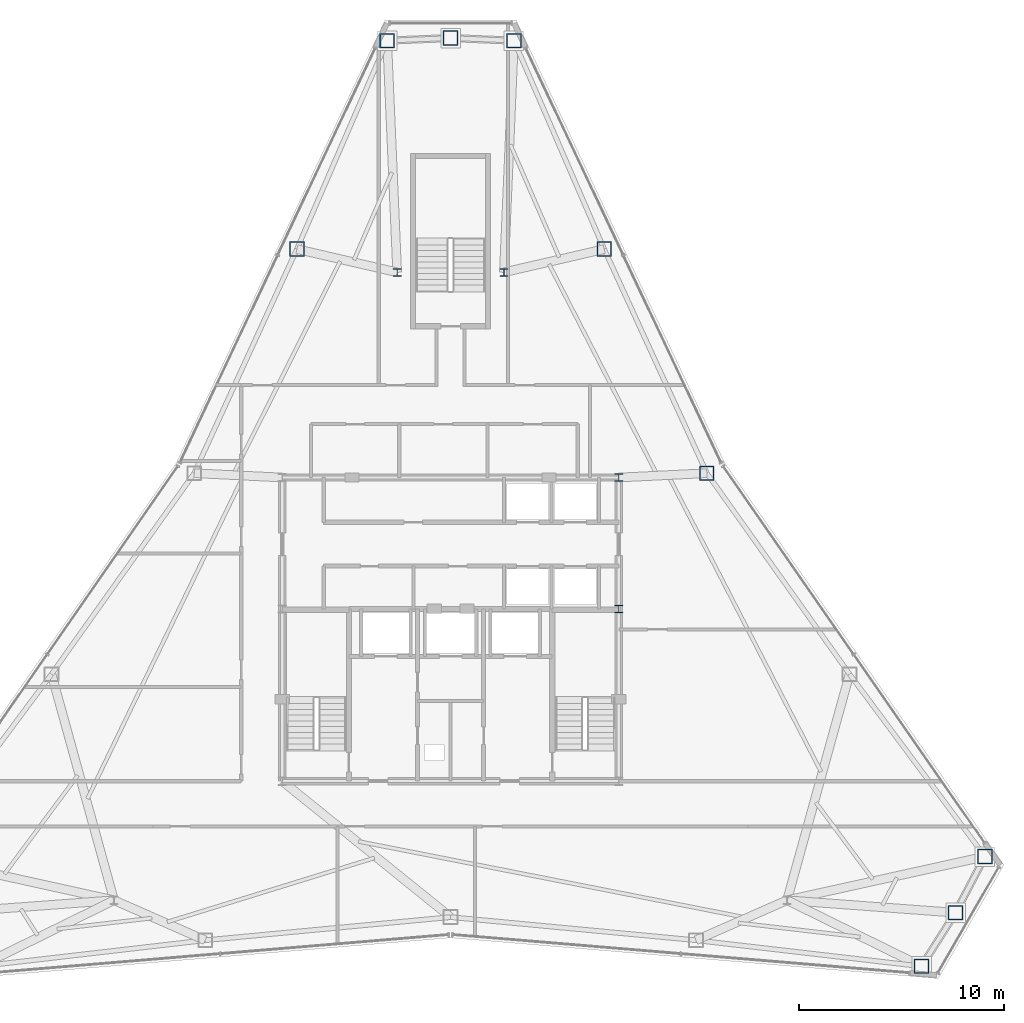
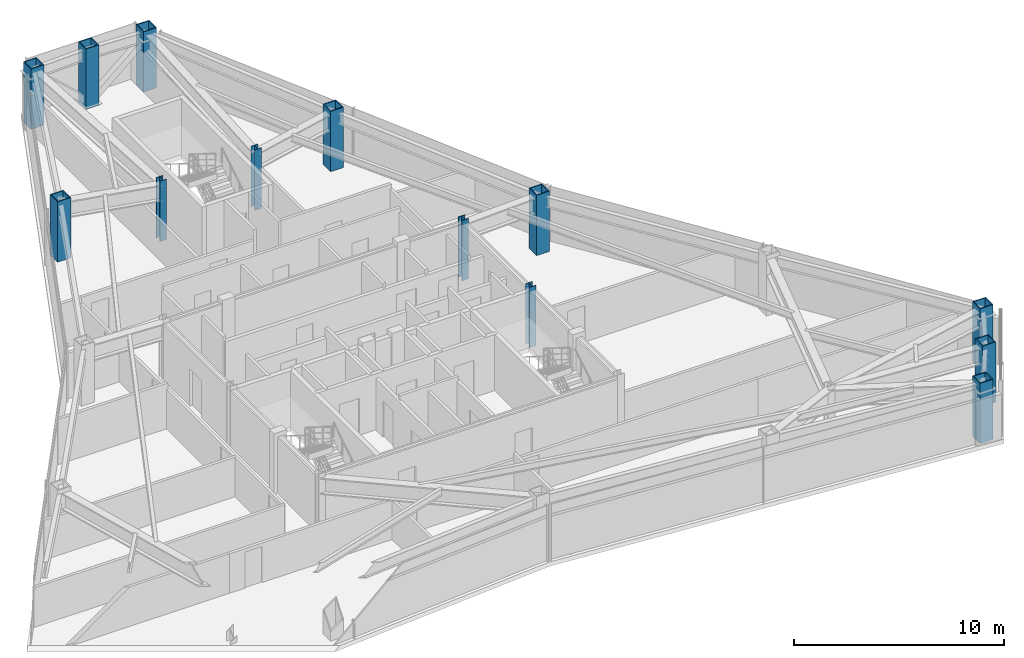
# One storey, part 2 of 12: 13 columns.
"""IFC4 building model written with IfcOpenShell, lengths in metres."""

import ifcopenshell
import ifcopenshell.guid

model = None  # the IFC model being written
_history = None  # IfcOwnerHistory: only IFC2X3 demands one
_inside = {}  # id of a spatial element -> (the spatial element, [elements in it])
_under = {}  # id of a project, library or spatial element -> (it, [spatial elements below it])
_declared = {}  # id of a project -> (the project, [libraries it declares])
_typed = {}  # id of a type object -> (the type object, [elements of that type])
_made_of = {}  # id of a material, layer set ... -> (it, [elements and type objects made of it])


def new_model(schema):
    """Start an empty IFC model of exactly this schema.

    Asked for "IFC4X3", IfcOpenShell would pick the latest addendum, in which some entities
    have other attributes; the version numbers below select the first issue.
    IFC2X3 requires an IfcOwnerHistory on every rooted entity: one is made here for all.
    """
    global model, _history
    if schema == "IFC4X3":
        model = ifcopenshell.file(schema_version=(4, 3, 0, 0))
    else:
        model = ifcopenshell.file(schema=schema)
    _inside.clear()
    _under.clear()
    _declared.clear()
    _typed.clear()
    _made_of.clear()
    _history = None
    if model.schema == "IFC2X3":
        org = make("IfcOrganization", Name="unknown")
        user = make(
            "IfcPersonAndOrganization",
            ThePerson=make("IfcPerson", FamilyName="unknown"),
            TheOrganization=org,
        )
        app = make(
            "IfcApplication",
            ApplicationDeveloper=org,
            Version="unknown",
            ApplicationFullName="unknown",
            ApplicationIdentifier="unknown",
        )
        _history = make(
            "IfcOwnerHistory",
            OwningUser=user,
            OwningApplication=app,
            ChangeAction="ADDED",
            CreationDate=0,
        )
    return model


def make(cls, **values):
    """One entity of the class cls with the attributes given. An attribute that is None is left unset."""
    return model.create_entity(
        cls, **{name: value for name, value in values.items() if value is not None}
    )


def rooted(cls, **values):
    """An entity with a GlobalId (a new one), such as an element, a storey or a relation."""
    return make(cls, GlobalId=ifcopenshell.guid.new(), OwnerHistory=_history, **values)


def si_unit(unit_type, name, prefix=None):
    """IfcSIUnit, for example si_unit("LENGTHUNIT", "METRE", prefix="MILLI")."""
    return make("IfcSIUnit", UnitType=unit_type, Prefix=prefix, Name=name)


def assignment(units):
    """IfcUnitAssignment: the units of a project."""
    return None if units is None else make("IfcUnitAssignment", Units=units)


def point(xyz):
    """IfcCartesianPoint."""
    return None if xyz is None else make("IfcCartesianPoint", Coordinates=xyz)


def direction(xyz):
    """IfcDirection."""
    return None if xyz is None else make("IfcDirection", DirectionRatios=xyz)


def frame(location, z_axis=None, x_axis=None):
    """IfcAxis2Placement3D, a coordinate frame: its origin and axes. An axis left out is left unset."""
    return make(
        "IfcAxis2Placement3D",
        Location=point(location),
        Axis=direction(z_axis),
        RefDirection=direction(x_axis),
    )


def frame_2d(location, x_axis=None):
    """IfcAxis2Placement2D, a coordinate frame in the plane: its origin and x axis."""
    return make(
        "IfcAxis2Placement2D", Location=point(location), RefDirection=direction(x_axis)
    )


def origin():
    """The frame at (0, 0, 0) with its axes left unset."""
    return frame((0.0, 0.0, 0.0))


def origin_2d():
    """The frame at (0, 0) in the plane with its x axis left unset."""
    return frame_2d((0.0, 0.0))


def place(relative_to, where):
    """IfcLocalPlacement: puts the frame where relative to a parent placement (None: the world)."""
    return make(
        "IfcLocalPlacement", PlacementRelTo=relative_to, RelativePlacement=where
    )


def context(
    kind, dimensions, precision=None, world=None, true_north=None, identifier=None
):
    """IfcGeometricRepresentationContext, for example the 3D "Model" context."""
    return make(
        "IfcGeometricRepresentationContext",
        ContextIdentifier=identifier,
        ContextType=kind,
        CoordinateSpaceDimension=dimensions,
        Precision=precision,
        WorldCoordinateSystem=world,
        TrueNorth=true_north,
    )


def subcontext(parent, identifier, kind, view, scale=None):
    """IfcGeometricRepresentationSubContext, for example "Body" below "Model"."""
    return make(
        "IfcGeometricRepresentationSubContext",
        ContextIdentifier=identifier,
        ContextType=kind,
        ParentContext=parent,
        TargetScale=scale,
        TargetView=view,
    )


def project(units=None, contexts=None):
    """IfcProject with its units and contexts."""
    return rooted(
        "IfcProject",
        Name="project",
        RepresentationContexts=contexts,
        UnitsInContext=assignment(units),
    )


def spatial(cls, under=None, at=None, **own):
    """A site, building, storey or space (cls), placed at a placement, below another one or the project."""
    s = rooted(cls, ObjectPlacement=at, **own)
    if under is not None:
        _under.setdefault(under.id(), (under, []))[1].append(s)
    return s


def profile(cls, at=None, kind="AREA", **sizes):
    """A parametric profile (cls). Its sizes go by their IFC names, for example OverallWidth=200.0."""
    return make(cls, ProfileType=kind, Position=at, **sizes)


def hollow_rectangle(**sizes):
    """IfcRectangleHollowProfileDef."""
    return profile("IfcRectangleHollowProfileDef", **sizes)


def i_section(**sizes):
    """IfcIShapeProfileDef."""
    return profile("IfcIShapeProfileDef", **sizes)


def extrude(swept, where, along, depth):
    """IfcExtrudedAreaSolid: the profile swept, set in the frame where, extruded along a direction by depth."""
    return make(
        "IfcExtrudedAreaSolid",
        SweptArea=swept,
        Position=where,
        ExtrudedDirection=direction(along),
        Depth=depth,
    )


def shape(context_of_items, identifier, shape_type, items):
    """IfcShapeRepresentation: the items that make up one representation, for example the "Body"."""
    return make(
        "IfcShapeRepresentation",
        ContextOfItems=context_of_items,
        RepresentationIdentifier=identifier,
        RepresentationType=shape_type,
        Items=items,
    )


def material(Name=None, Category=None):
    """IfcMaterial."""
    return make("IfcMaterial", Name=Name, Category=Category)


def material_profile(
    of_material, cross_section, Name=None, Category=None, Priority=None
):
    """IfcMaterialProfile: a cross section and its material."""
    return make(
        "IfcMaterialProfile",
        Name=Name,
        Material=of_material,
        Profile=cross_section,
        Priority=Priority,
        Category=Category,
    )


def profile_set(profiles, Name=None, composite=None):
    """IfcMaterialProfileSet."""
    return make(
        "IfcMaterialProfileSet",
        Name=Name,
        MaterialProfiles=profiles,
        CompositeProfile=composite,
    )


def made_of(thing, what):
    """Note that an element or type object is made of a material, layer set ...; save() writes the relation."""
    if what is not None:
        _made_of.setdefault(what.id(), (what, []))[1].append(thing)
    return thing


def type_object(cls, material=None, **own):
    """A type object (cls), such as IfcWallType, which elements share."""
    return made_of(rooted(cls, **own), material)


def element(
    cls,
    number,
    at=None,
    inside=None,
    cuts=None,
    type_object=None,
    material=None,
    context=None,
    identifier="Body",
    shape_type=None,
    held_by="IfcProductDefinitionShape",
    body=None,
    shapes=None,
    **own,
):
    """One element of the class cls, such as IfcWall. Its Tag is "e" and its number.

    at: its placement. inside: the storey or other place that contains it. cuts: it is an
    opening in that element (IfcRelVoidsElement). A single representation is given by context,
    identifier, shape_type and body (its items); several are given by shapes. held_by: the class
    of the entity that holds the representations. save() writes the other relations.
    """
    e = rooted(cls, Tag="e%d" % number, ObjectPlacement=at, **own)
    if body is not None:
        shapes = [shape(context, identifier, shape_type, body)]
    if shapes is not None:
        e.Representation = make(held_by, Representations=shapes)
    if inside is not None:
        _inside.setdefault(inside.id(), (inside, []))[1].append(e)
    if cuts is not None:
        rooted(
            "IfcRelVoidsElement", RelatingBuildingElement=cuts, RelatedOpeningElement=e
        )
    if type_object is not None:
        _typed.setdefault(type_object.id(), (type_object, []))[1].append(e)
    return made_of(e, material)


def aggregate(whole, parts):
    """IfcRelAggregates: a whole, such as a stair, and the parts it consists of."""
    return rooted("IfcRelAggregates", RelatingObject=whole, RelatedObjects=parts)


def save(model, path):
    """Write the relations noted so far, then the file.

    IfcRelAggregates (storeys below a building ...), IfcRelContainedInSpatialStructure (elements
    in a storey), IfcRelDefinesByType, IfcRelAssociatesMaterial and IfcRelDeclares: one each for
    every whole, place, type object, material and project.
    """
    for whole, parts in _under.values():
        aggregate(whole, parts)
    for where, things in _inside.values():
        rooted(
            "IfcRelContainedInSpatialStructure",
            RelatedElements=things,
            RelatingStructure=where,
        )
    for kind, things in _typed.values():
        rooted("IfcRelDefinesByType", RelatedObjects=things, RelatingType=kind)
    for what, things in _made_of.values():
        rooted("IfcRelAssociatesMaterial", RelatedObjects=things, RelatingMaterial=what)
    for by, libraries in _declared.values():
        rooted("IfcRelDeclares", RelatingContext=by, RelatedDefinitions=libraries)
    model.write(path)


model = new_model("IFC4")

# Units and contexts
model_context = context("Model", 3, precision=1e-05, world=origin(), true_north=direction((0.0, 1.0)))
body_context = subcontext(model_context, "Body", "Model", "MODEL_VIEW")
ifc_project = project(units=[si_unit("LENGTHUNIT", "METRE"), si_unit("AREAUNIT", "SQUARE_METRE"), si_unit("VOLUMEUNIT", "CUBIC_METRE"), si_unit("PLANEANGLEUNIT", "RADIAN"), si_unit("MASSUNIT", "GRAM", prefix="KILO")], contexts=[model_context])

# Site, building, storey
site_placement = place(None, origin())
site = spatial("IfcSite", under=ifc_project, at=site_placement, CompositionType="ELEMENT")
building_placement = place(site_placement, origin())
building = spatial("IfcBuilding", under=site, at=building_placement, Name="Varakhsha Concourse Tower", CompositionType="ELEMENT")
storey_placement = place(building_placement, frame((0.0, 0.0, 229.39990234375)))
storey = spatial("IfcBuildingStorey", under=building, at=storey_placement, Name="L65", CompositionType="ELEMENT", Elevation=229.39990234375)

# Columns
ifc_material_1 = material(Name="Structural Steel ASTM A992 Grade 50", Category="steel")
ifc_material_profile_1 = material_profile(ifc_material_1, i_section(OverallWidth=0.3740234375, OverallDepth=0.3720703125, WebThickness=0.01611328125, FlangeThickness=0.02587890625, at=origin_2d()), Name="W14X132")
ifc_profile_set_1 = profile_set([ifc_material_profile_1], Name="Structural Steel ASTM A992 Grade 50")
column_type_1 = type_object("IfcColumnType", Name="CL-CORE-W14X132", PredefinedType="COLUMN", material=ifc_profile_set_1)
for number, where, z_axis, x_axis, name in (
    (1, (48.199951171875, 24.800048828125, 0.0), (0.0, 0.0, 1.0), (1.0, 0.0, 0.0), "L65 Core Column CC-ME"),
    (2, (48.199951171875, 31.199951171875, 0.0), (0.0, 0.0, 1.0), (1.0, 0.0, 0.0), "L65 Core Column CC-NE"),
    (3, (37.39990234375, 41.199951171875, 0.0), (0.0, 0.0, 1.0), (1.0, 0.0, 0.0), "L65 Core Column NS-W"),
    (4, (42.60009765625, 41.199951171875, 0.0), (0.0, 0.0, 1.0), (1.0, 0.0, 0.0), "L65 Core Column NS-E"),
):
    element("IfcColumn", number, at=place(storey_placement, frame(where, z_axis=z_axis, x_axis=x_axis)), inside=storey, type_object=column_type_1, Name=name, PredefinedType="COLUMN", context=body_context, shape_type="SweptSolid", body=[
        extrude(i_section(OverallWidth=0.3740234375, OverallDepth=0.3720703125, WebThickness=0.01611328125, FlangeThickness=0.02587890625, at=origin_2d()), origin(), (0.0, 0.0, 1.0), 3.5),
    ])
ifc_material_2 = material(Name="Structural Steel ASTM A572 Grade 50", Category="steel")
ifc_material_profile_2 = material_profile(ifc_material_2, hollow_rectangle(XDim=0.719970703125, YDim=0.719970703125, WallThickness=0.050048828125, at=origin_2d()), Name="BOX 720x720x50")
ifc_profile_set_2 = profile_set([ifc_material_profile_2], Name="Structural Steel ASTM A572 Grade 50")
column_type_2 = type_object("IfcColumnType", Name="CL-TUBE-720", PredefinedType="COLUMN", material=ifc_profile_set_2)
for number, where, z_axis, x_axis, name in (
    (5, (43.090087890625, 52.491455078125, 0.0), (0.0, 0.0, 1.0), (1.0, 0.0, 0.0), "L65 Framed-Tube Column TC01"),
    (6, (40.0, 52.617431640625, 0.0), (0.0, 0.0, 1.0), (1.0, 0.0, 0.0), "L65 Framed-Tube Column TC02"),
    (7, (36.909912109375, 52.491455078125, 0.0), (0.0, 0.0, 1.0), (1.0, 0.0, 0.0), "L65 Framed-Tube Column TC03"),
    (8, (32.512939453125, 42.332275390625, 0.0), (0.0, 0.0, 1.0), (1.0, 0.0, 0.0), "L65 Framed-Tube Column TC04"),
    (9, (62.9560546875, 7.378173828125, 0.0), (0.0, 0.0, 1.0), (1.0, 0.0, 0.0), "L65 Framed-Tube Column TC13"),
    (10, (64.610107421875, 9.9912109375, 0.0), (0.0, 0.0, 1.0), (1.0, 0.0, 0.0), "L65 Framed-Tube Column TC14"),
    (11, (66.046142578125, 12.73046875, 0.0), (0.0, 0.0, 1.0), (1.0, 0.0, 0.0), "L65 Framed-Tube Column TC15"),
    (12, (52.489990234375, 31.4111328125, 0.0), (0.0, 0.0, 1.0), (1.0, 0.0, 0.0), "L65 Framed-Tube Column TC17"),
    (13, (47.487060546875, 42.332275390625, 0.0), (0.0, 0.0, 1.0), (1.0, 0.0, 0.0), "L65 Framed-Tube Column TC18"),
):
    element("IfcColumn", number, at=place(storey_placement, frame(where, z_axis=z_axis, x_axis=x_axis)), inside=storey, type_object=column_type_2, Name=name, PredefinedType="COLUMN", context=body_context, shape_type="SweptSolid", body=[
        extrude(hollow_rectangle(XDim=0.719970703125, YDim=0.719970703125, WallThickness=0.050048828125, at=origin_2d()), origin(), (0.0, 0.0, 1.0), 3.5),
    ])

save(model, "model.ifc")
